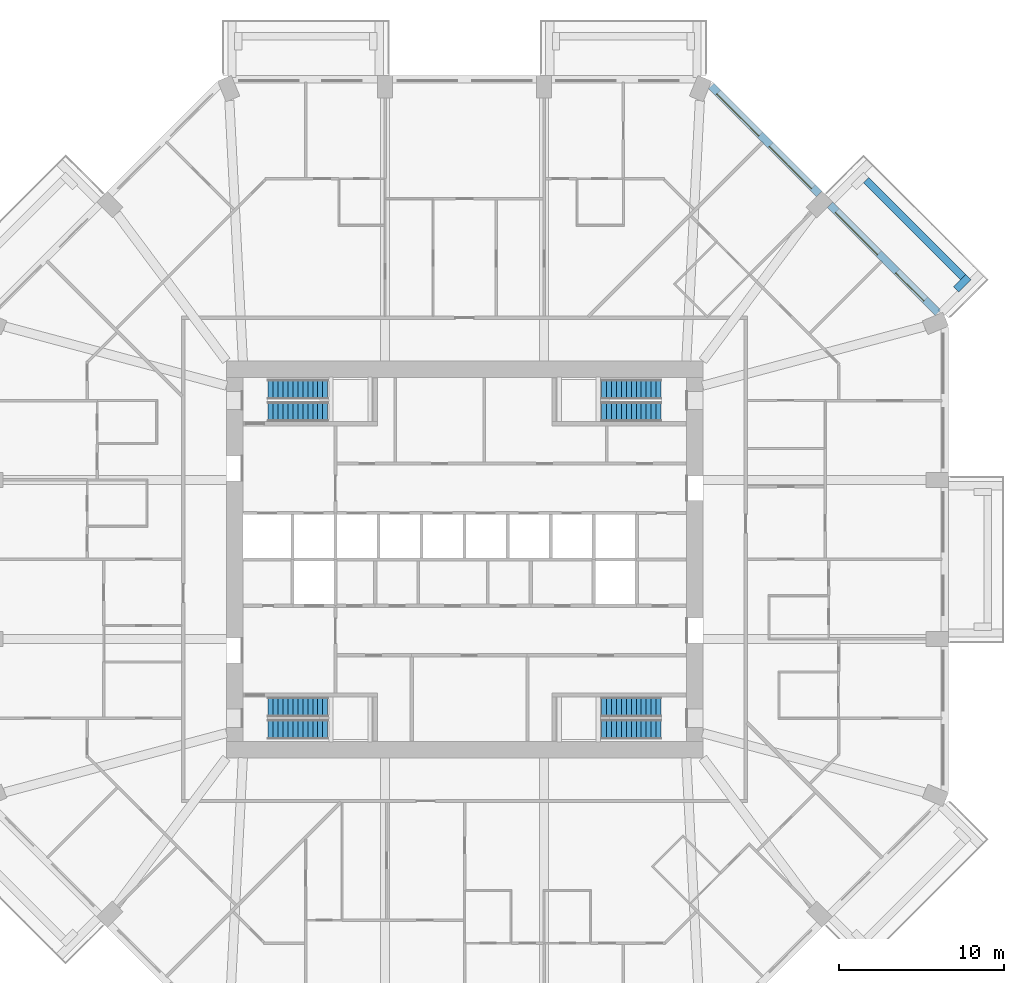
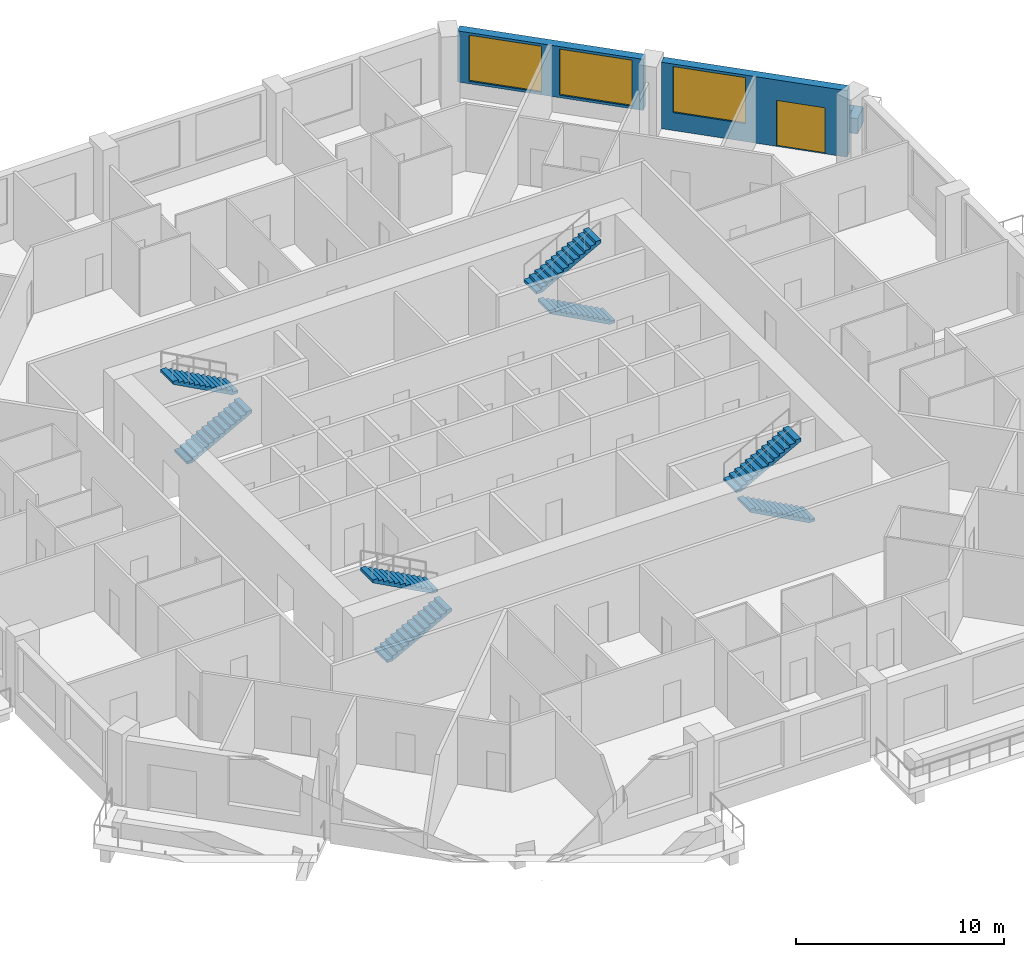
# One storey, part 11 of 13: 8 stair flights, 4 walls, 3 windows, 1 door, 4 openings, 4 elements without a shape of their own.
"""IFC4 building model written with IfcOpenShell, lengths in metres."""

from ifc_helpers import new_model, si_unit, direction, frame, frame_2d, origin, place, context, subcontext, project, spatial, polyline, rectangle, outline, extrude, material, layer, layer_set, type_object, element, fill, aggregate, save


model = new_model("IFC4")

# Units and contexts
model_context = context("Model", 3, precision=1e-05, world=origin(), true_north=direction((0.0, 1.0)))
body_context = subcontext(model_context, "Body", "Model", "MODEL_VIEW")
ifc_project = project(units=[si_unit("LENGTHUNIT", "METRE"), si_unit("AREAUNIT", "SQUARE_METRE"), si_unit("VOLUMEUNIT", "CUBIC_METRE"), si_unit("PLANEANGLEUNIT", "RADIAN"), si_unit("MASSUNIT", "GRAM", prefix="KILO")], contexts=[model_context])

# Site, building, storey
site_placement = place(None, origin())
site = spatial("IfcSite", under=ifc_project, at=site_placement, CompositionType="ELEMENT")
building_placement = place(site_placement, origin())
building = spatial("IfcBuilding", under=site, at=building_placement, Name="Msitu Wima Residences", CompositionType="ELEMENT")
storey_placement = place(building_placement, frame((0.0, 0.0, 71.699951171875)))
storey = spatial("IfcBuildingStorey", under=building, at=storey_placement, Name="L16", CompositionType="ELEMENT", Elevation=71.699951171875)

# Walls
ifc_material_1 = material(Name="Facing brick")
ifc_layer_1 = layer(ifc_material_1, 0.06494140625, Name="Facing brick")
ifc_material_2 = material(Name="Concrete C40/50", Category="concrete")
ifc_layer_2 = layer(ifc_material_2, 0.156005859375, Name="Concrete C40/50")
ifc_material_3 = material(Name="Waterproofing membrane")
ifc_layer_3 = layer(ifc_material_3, 0.00390625, Name="Waterproofing membrane")
ifc_material_4 = material(Name="Planting soil and planting")
ifc_layer_4 = layer(ifc_material_4, 0.22509765625, Name="Planting soil and planting")
ifc_layer_set_1 = layer_set([ifc_layer_1, ifc_layer_2, ifc_layer_3, ifc_layer_4], Name="Concrete C40/50")
wall_type_1 = type_object("IfcWallType", Name="Balcony planter PLANTER PL450", PredefinedType="USERDEFINED", material=ifc_layer_set_1)
wall_1_placement = place(storey_placement, frame((30.125732421875, 17.0693359375, 0.0), z_axis=(0.0, 0.0, 1.0), x_axis=(-0.707106781187, 0.707106781187, 0.0)))
element("IfcWall", 1, at=wall_1_placement, inside=storey, type_object=wall_type_1, Name="Balcony planter NE0 L16", ObjectType="PLANTER", PredefinedType="USERDEFINED", context=body_context, shape_type="SweptSolid", body=[
    extrude(rectangle(XDim=8.2822265625, YDim=0.449951171875, at=frame_2d((4.14111328125, 0.0))), origin(), (0.0, 0.0, 1.0), 0.900146484375),
])
wall_2_placement = place(storey_placement, frame((29.70166015625, 16.326904296875, 0.0), z_axis=(0.0, 0.0, 1.0), x_axis=(0.707106781187, 0.707106781187, 0.0)))
element("IfcWall", 2, at=wall_2_placement, inside=storey, type_object=wall_type_1, Name="Balcony planter NE0 L16", ObjectType="PLANTER", PredefinedType="USERDEFINED", context=body_context, shape_type="SweptSolid", body=[
    extrude(rectangle(XDim=1.050048828125, YDim=0.449951171875, at=frame_2d((0.52490234375, 0.0))), origin(), (0.0, 0.0, 1.0), 0.900146484375),
])

# Wall, openings, door, window
ifc_material_5 = material(Name="Brick (red buff mix)", Category="masonry")
ifc_layer_5 = layer(ifc_material_5, 0.449951171875)
ifc_layer_set_2 = layer_set([ifc_layer_5], Name="Brick (red buff mix)")
wall_type_2 = type_object("IfcWallType", Name="Brick infill wall BW450", PredefinedType="SOLIDWALL", material=ifc_layer_set_2)
wall_3_placement = place(storey_placement, frame((28.61474609375, 14.903564453125, 0.0), z_axis=(0.0, 0.0, 1.0), x_axis=(-0.707106781187, 0.707106781187, 0.0)))
wall_3 = element("IfcWall", 3, at=wall_3_placement, inside=storey, type_object=wall_type_2, Name="Brick infill wall L16 NE0", PredefinedType="SOLIDWALL", context=body_context, shape_type="SweptSolid", body=[
    extrude(rectangle(XDim=9.2451171875, YDim=0.449951171875, at=frame_2d((4.62255859375, 0.0))), origin(), (0.0, 0.0, 1.0), 3.900146484375),
])
opening_1_placement = place(wall_3_placement, frame((1.111328125, 0.0, 0.0)))
opening_1 = element("IfcOpeningElement", 4, at=opening_1_placement, cuts=wall_3, Name="Opening D16-17.004", PredefinedType="OPENING", context=body_context, shape_type="SweptSolid", body=[
    extrude(rectangle(XDim=2.39990234375, YDim=2.699951171875, at=frame_2d((1.199951171875, 1.35009765625))), frame((0.0, 0.23486328125, 0.0), z_axis=(0.0, -1.0, 0.0), x_axis=(1.0, 0.0, 0.0)), (0.0, 0.0, 1.0), 0.469970703125),
])
opening_2_placement = place(wall_3_placement, frame((5.072509765625, 0.0, 1.050048828125)))
opening_2 = element("IfcOpeningElement", 5, at=opening_2_placement, cuts=wall_3, Name="Opening W16-17.010", PredefinedType="OPENING", context=body_context, shape_type="SweptSolid", body=[
    extrude(rectangle(XDim=3.60009765625, YDim=2.699951171875, at=frame_2d((1.800048828125, 1.35009765625))), frame((0.0, 0.23486328125, 0.0), z_axis=(0.0, -1.0, 0.0), x_axis=(1.0, 0.0, 0.0)), (0.0, 0.0, 1.0), 0.469970703125),
])
ifc_material_6 = material(Name="Anodised aluminium, bronze finish, clear low-emissivity double glazing", Category="aluminium")
door_type = type_object("IfcDoorType", Name="Balcony door D2400x2700", OperationType="SLIDING_TO_LEFT", PredefinedType="DOOR", material=ifc_material_6)
door_placement = place(opening_1_placement, origin())
door = element("IfcDoor", 6, at=door_placement, inside=storey, type_object=door_type, Name="Balcony door L16 NE0", OperationType="SINGLE_SWING_LEFT", OverallHeight=2.699951171875, OverallWidth=2.39990234375, PredefinedType="DOOR", context=body_context, shape_type="SweptSolid", body=[
    extrude(rectangle(XDim=2.39990234375, YDim=2.699951171875, at=frame_2d((1.199951171875, 1.35009765625))), frame((0.0, 0.1298828125, 0.0), z_axis=(0.0, -1.0, 0.0), x_axis=(1.0, 0.0, 0.0)), (0.0, 0.0, 1.0), 0.050048828125),
])
fill(opening_1, door)
window_type = type_object("IfcWindowType", Name="Window W3600x2700", PartitioningType="DOUBLE_PANEL_VERTICAL", PredefinedType="WINDOW", material=ifc_material_6)
window_1_placement = place(opening_2_placement, origin())
window_1 = element("IfcWindow", 7, at=window_1_placement, inside=storey, type_object=window_type, Name="Window L16 NE0.2", OverallHeight=2.699951171875, OverallWidth=3.60009765625, PartitioningType="SINGLE_PANEL", PredefinedType="WINDOW", context=body_context, shape_type="SweptSolid", body=[
    extrude(rectangle(XDim=3.60009765625, YDim=2.699951171875, at=frame_2d((1.800048828125, 1.35009765625))), frame((0.0, 0.135009765625, 0.0), z_axis=(0.0, -1.0, 0.0), x_axis=(1.0, 0.0, 0.0)), (0.0, 0.0, 1.0), 0.06005859375),
])
fill(opening_2, window_1)

# Wall, openings, windows
wall_4_placement = place(storey_placement, frame((21.44091796875, 22.077392578125, 0.900146484375), z_axis=(0.0, 0.0, 1.0), x_axis=(-0.707106781187, 0.707106781187, 0.0)))
wall_4 = element("IfcWall", 8, at=wall_4_placement, inside=storey, type_object=wall_type_2, Name="Brick infill wall L16 NE1", PredefinedType="SOLIDWALL", context=body_context, shape_type="SweptSolid", body=[
    extrude(rectangle(XDim=9.2451171875, YDim=0.449951171875, at=frame_2d((4.62255859375, 0.0))), origin(), (0.0, 0.0, 1.0), 3.0),
])
opening_3_placement = place(wall_4_placement, frame((0.572509765625, 0.0, 0.14990234375)))
opening_3 = element("IfcOpeningElement", 9, at=opening_3_placement, cuts=wall_4, Name="Opening W16-17.011", PredefinedType="OPENING", context=body_context, shape_type="SweptSolid", body=[
    extrude(rectangle(XDim=3.60009765625, YDim=2.699951171875, at=frame_2d((1.800048828125, 1.35009765625))), frame((0.0, 0.23486328125, 0.0), z_axis=(0.0, -1.0, 0.0), x_axis=(1.0, 0.0, 0.0)), (0.0, 0.0, 1.0), 0.469970703125),
])
opening_4_placement = place(wall_4_placement, frame((5.072509765625, 0.0, 0.14990234375)))
opening_4 = element("IfcOpeningElement", 10, at=opening_4_placement, cuts=wall_4, Name="Opening W16-17.012", PredefinedType="OPENING", context=body_context, shape_type="SweptSolid", body=[
    extrude(rectangle(XDim=3.60009765625, YDim=2.699951171875, at=frame_2d((1.800048828125, 1.35009765625))), frame((0.0, 0.23486328125, 0.0), z_axis=(0.0, -1.0, 0.0), x_axis=(1.0, 0.0, 0.0)), (0.0, 0.0, 1.0), 0.469970703125),
])
window_2_placement = place(opening_3_placement, origin())
window_2 = element("IfcWindow", 11, at=window_2_placement, inside=storey, type_object=window_type, Name="Window L16 NE1.1", OverallHeight=2.699951171875, OverallWidth=3.60009765625, PartitioningType="SINGLE_PANEL", PredefinedType="WINDOW", context=body_context, shape_type="SweptSolid", body=[
    extrude(rectangle(XDim=3.60009765625, YDim=2.699951171875, at=frame_2d((1.800048828125, 1.35009765625))), frame((0.0, 0.135009765625, 0.0), z_axis=(0.0, -1.0, 0.0), x_axis=(1.0, 0.0, 0.0)), (0.0, 0.0, 1.0), 0.06005859375),
])
fill(opening_3, window_2)
window_3_placement = place(opening_4_placement, origin())
window_3 = element("IfcWindow", 12, at=window_3_placement, inside=storey, type_object=window_type, Name="Window L16 NE1.2", OverallHeight=2.699951171875, OverallWidth=3.60009765625, PartitioningType="SINGLE_PANEL", PredefinedType="WINDOW", context=body_context, shape_type="SweptSolid", body=[
    extrude(rectangle(XDim=3.60009765625, YDim=2.699951171875, at=frame_2d((1.800048828125, 1.35009765625))), frame((0.0, 0.135009765625, 0.0), z_axis=(0.0, -1.0, 0.0), x_axis=(1.0, 0.0, 0.0)), (0.0, 0.0, 1.0), 0.06005859375),
])
fill(opening_4, window_3)

# Stair, stair flights
stair_type = type_object("IfcStairType", Name="Exit stair ES1615-120", PredefinedType="HALF_TURN_STAIR", material=ifc_material_2)
stair_1_placement = place(storey_placement, origin())
stair_1 = element("IfcStair", 13, at=stair_1_placement, inside=storey, type_object=stair_type, Name="Exit stair 1", PredefinedType="HALF_TURN_STAIR")
stair_flight_type = type_object("IfcStairFlightType", Name="Exit stair flight ES1615-120", PredefinedType="STRAIGHT", material=ifc_material_2)
stair_flight_1_placement = place(storey_placement, frame((-11.875, 8.925048828125, 0.0), z_axis=(0.0, 0.0, 1.0), x_axis=(1.0, 0.0, 0.0)))
stair_flight_1 = element("IfcStairFlight", 14, at=stair_flight_1_placement, type_object=stair_flight_type, Name="S1 flight 1", NumberOfRisers=13, NumberOfTreads=12, PredefinedType="STRAIGHT", RiserHeight=0.161538462, TreadLength=0.3, context=body_context, shape_type="SweptSolid", body=[
    extrude(outline(polyline([(0.0, 0.0), (0.0, 0.16162109375), (0.300048828125, 0.16162109375), (0.300048828125, 0.322998046875), (0.60009765625, 0.322998046875), (0.60009765625, 0.484619140625), (0.89990234375, 0.484619140625), (0.89990234375, 0.646240234375), (1.199951171875, 0.646240234375), (1.199951171875, 0.8076171875), (1.5, 0.8076171875), (1.5, 0.96923828125), (1.800048828125, 0.96923828125), (1.800048828125, 1.130859375), (2.10009765625, 1.130859375), (2.10009765625, 1.292236328125), (2.39990234375, 1.292236328125), (2.39990234375, 1.453857421875), (2.699951171875, 1.453857421875), (2.699951171875, 1.615478515625), (3.0, 1.615478515625), (3.0, 1.77685546875), (3.300048828125, 1.77685546875), (3.300048828125, 1.9384765625), (3.60009765625, 1.9384765625), (3.60009765625, 2.10009765625), (3.60009765625, 1.768310546875), (0.316162109375, 0.0), (0.0, 0.0)])), frame((0.0, 0.60009765625, 0.0), z_axis=(0.0, -1.0, 0.0), x_axis=(1.0, 0.0, 0.0)), (0.0, 0.0, 1.0), 1.199951171875),
])
stair_flight_2_placement = place(storey_placement, frame((-8.27490234375, 10.27490234375, 2.10009765625), z_axis=(0.0, 0.0, 1.0), x_axis=(-1.0, 0.0, 0.0)))
stair_flight_2 = element("IfcStairFlight", 15, at=stair_flight_2_placement, type_object=stair_flight_type, Name="S1 flight 2", NumberOfRisers=13, NumberOfTreads=12, PredefinedType="STRAIGHT", RiserHeight=0.161538462, TreadLength=0.3, context=body_context, shape_type="SweptSolid", body=[
    extrude(outline(polyline([(0.0, 0.0), (0.0, 0.16162109375), (0.300048828125, 0.16162109375), (0.300048828125, 0.322998046875), (0.60009765625, 0.322998046875), (0.60009765625, 0.484619140625), (0.89990234375, 0.484619140625), (0.89990234375, 0.646240234375), (1.199951171875, 0.646240234375), (1.199951171875, 0.8076171875), (1.5, 0.8076171875), (1.5, 0.96923828125), (1.800048828125, 0.96923828125), (1.800048828125, 1.130859375), (2.10009765625, 1.130859375), (2.10009765625, 1.292236328125), (2.39990234375, 1.292236328125), (2.39990234375, 1.453857421875), (2.699951171875, 1.453857421875), (2.699951171875, 1.615478515625), (3.0, 1.615478515625), (3.0, 1.77685546875), (3.300048828125, 1.77685546875), (3.300048828125, 1.9384765625), (3.60009765625, 1.9384765625), (3.60009765625, 2.10009765625), (3.60009765625, 1.768310546875), (0.316162109375, 0.0), (0.0, 0.0)])), frame((0.0, 0.60009765625, 0.0), z_axis=(0.0, -1.0, 0.0), x_axis=(1.0, 0.0, 0.0)), (0.0, 0.0, 1.0), 1.199951171875),
])
aggregate(stair_1, [stair_flight_1, stair_flight_2])

stair_2_placement = place(storey_placement, origin())
stair_2 = element("IfcStair", 16, at=stair_2_placement, inside=storey, type_object=stair_type, Name="Exit stair 2", PredefinedType="HALF_TURN_STAIR")
stair_flight_3_placement = place(storey_placement, frame((-11.875, -10.27490234375, 0.0), z_axis=(0.0, 0.0, 1.0), x_axis=(1.0, 0.0, 0.0)))
stair_flight_3 = element("IfcStairFlight", 17, at=stair_flight_3_placement, type_object=stair_flight_type, Name="S2 flight 1", NumberOfRisers=13, NumberOfTreads=12, PredefinedType="STRAIGHT", RiserHeight=0.161538462, TreadLength=0.3, context=body_context, shape_type="SweptSolid", body=[
    extrude(outline(polyline([(0.0, 0.0), (0.0, 0.16162109375), (0.300048828125, 0.16162109375), (0.300048828125, 0.322998046875), (0.60009765625, 0.322998046875), (0.60009765625, 0.484619140625), (0.89990234375, 0.484619140625), (0.89990234375, 0.646240234375), (1.199951171875, 0.646240234375), (1.199951171875, 0.8076171875), (1.5, 0.8076171875), (1.5, 0.96923828125), (1.800048828125, 0.96923828125), (1.800048828125, 1.130859375), (2.10009765625, 1.130859375), (2.10009765625, 1.292236328125), (2.39990234375, 1.292236328125), (2.39990234375, 1.453857421875), (2.699951171875, 1.453857421875), (2.699951171875, 1.615478515625), (3.0, 1.615478515625), (3.0, 1.77685546875), (3.300048828125, 1.77685546875), (3.300048828125, 1.9384765625), (3.60009765625, 1.9384765625), (3.60009765625, 2.10009765625), (3.60009765625, 1.768310546875), (0.316162109375, 0.0), (0.0, 0.0)])), frame((0.0, 0.60009765625, 0.0), z_axis=(0.0, -1.0, 0.0), x_axis=(1.0, 0.0, 0.0)), (0.0, 0.0, 1.0), 1.199951171875),
])
stair_flight_4_placement = place(storey_placement, frame((-8.27490234375, -8.925048828125, 2.10009765625), z_axis=(0.0, 0.0, 1.0), x_axis=(-1.0, 0.0, 0.0)))
stair_flight_4 = element("IfcStairFlight", 18, at=stair_flight_4_placement, type_object=stair_flight_type, Name="S2 flight 2", NumberOfRisers=13, NumberOfTreads=12, PredefinedType="STRAIGHT", RiserHeight=0.161538462, TreadLength=0.3, context=body_context, shape_type="SweptSolid", body=[
    extrude(outline(polyline([(0.0, 0.0), (0.0, 0.16162109375), (0.300048828125, 0.16162109375), (0.300048828125, 0.322998046875), (0.60009765625, 0.322998046875), (0.60009765625, 0.484619140625), (0.89990234375, 0.484619140625), (0.89990234375, 0.646240234375), (1.199951171875, 0.646240234375), (1.199951171875, 0.8076171875), (1.5, 0.8076171875), (1.5, 0.96923828125), (1.800048828125, 0.96923828125), (1.800048828125, 1.130859375), (2.10009765625, 1.130859375), (2.10009765625, 1.292236328125), (2.39990234375, 1.292236328125), (2.39990234375, 1.453857421875), (2.699951171875, 1.453857421875), (2.699951171875, 1.615478515625), (3.0, 1.615478515625), (3.0, 1.77685546875), (3.300048828125, 1.77685546875), (3.300048828125, 1.9384765625), (3.60009765625, 1.9384765625), (3.60009765625, 2.10009765625), (3.60009765625, 1.768310546875), (0.316162109375, 0.0), (0.0, 0.0)])), frame((0.0, 0.60009765625, 0.0), z_axis=(0.0, -1.0, 0.0), x_axis=(1.0, 0.0, 0.0)), (0.0, 0.0, 1.0), 1.199951171875),
])
aggregate(stair_2, [stair_flight_3, stair_flight_4])

stair_3_placement = place(storey_placement, origin())
stair_3 = element("IfcStair", 19, at=stair_3_placement, inside=storey, type_object=stair_type, Name="Exit stair 3", PredefinedType="HALF_TURN_STAIR")
stair_flight_5_placement = place(storey_placement, frame((11.875, 8.925048828125, 0.0), z_axis=(0.0, 0.0, 1.0), x_axis=(-1.0, 0.0, 0.0)))
stair_flight_5 = element("IfcStairFlight", 20, at=stair_flight_5_placement, type_object=stair_flight_type, Name="S3 flight 1", NumberOfRisers=13, NumberOfTreads=12, PredefinedType="STRAIGHT", RiserHeight=0.161538462, TreadLength=0.3, context=body_context, shape_type="SweptSolid", body=[
    extrude(outline(polyline([(0.0, 0.0), (0.0, 0.16162109375), (0.300048828125, 0.16162109375), (0.300048828125, 0.322998046875), (0.60009765625, 0.322998046875), (0.60009765625, 0.484619140625), (0.89990234375, 0.484619140625), (0.89990234375, 0.646240234375), (1.199951171875, 0.646240234375), (1.199951171875, 0.8076171875), (1.5, 0.8076171875), (1.5, 0.96923828125), (1.800048828125, 0.96923828125), (1.800048828125, 1.130859375), (2.10009765625, 1.130859375), (2.10009765625, 1.292236328125), (2.39990234375, 1.292236328125), (2.39990234375, 1.453857421875), (2.699951171875, 1.453857421875), (2.699951171875, 1.615478515625), (3.0, 1.615478515625), (3.0, 1.77685546875), (3.300048828125, 1.77685546875), (3.300048828125, 1.9384765625), (3.60009765625, 1.9384765625), (3.60009765625, 2.10009765625), (3.60009765625, 1.768310546875), (0.316162109375, 0.0), (0.0, 0.0)])), frame((0.0, 0.60009765625, 0.0), z_axis=(0.0, -1.0, 0.0), x_axis=(1.0, 0.0, 0.0)), (0.0, 0.0, 1.0), 1.199951171875),
])
stair_flight_6_placement = place(storey_placement, frame((8.27490234375, 10.27490234375, 2.10009765625), z_axis=(0.0, 0.0, 1.0), x_axis=(1.0, 0.0, 0.0)))
stair_flight_6 = element("IfcStairFlight", 21, at=stair_flight_6_placement, type_object=stair_flight_type, Name="S3 flight 2", NumberOfRisers=13, NumberOfTreads=12, PredefinedType="STRAIGHT", RiserHeight=0.161538462, TreadLength=0.3, context=body_context, shape_type="SweptSolid", body=[
    extrude(outline(polyline([(0.0, 0.0), (0.0, 0.16162109375), (0.300048828125, 0.16162109375), (0.300048828125, 0.322998046875), (0.60009765625, 0.322998046875), (0.60009765625, 0.484619140625), (0.89990234375, 0.484619140625), (0.89990234375, 0.646240234375), (1.199951171875, 0.646240234375), (1.199951171875, 0.8076171875), (1.5, 0.8076171875), (1.5, 0.96923828125), (1.800048828125, 0.96923828125), (1.800048828125, 1.130859375), (2.10009765625, 1.130859375), (2.10009765625, 1.292236328125), (2.39990234375, 1.292236328125), (2.39990234375, 1.453857421875), (2.699951171875, 1.453857421875), (2.699951171875, 1.615478515625), (3.0, 1.615478515625), (3.0, 1.77685546875), (3.300048828125, 1.77685546875), (3.300048828125, 1.9384765625), (3.60009765625, 1.9384765625), (3.60009765625, 2.10009765625), (3.60009765625, 1.768310546875), (0.316162109375, 0.0), (0.0, 0.0)])), frame((0.0, 0.60009765625, 0.0), z_axis=(0.0, -1.0, 0.0), x_axis=(1.0, 0.0, 0.0)), (0.0, 0.0, 1.0), 1.199951171875),
])
aggregate(stair_3, [stair_flight_5, stair_flight_6])

stair_4_placement = place(storey_placement, origin())
stair_4 = element("IfcStair", 22, at=stair_4_placement, inside=storey, type_object=stair_type, Name="Exit stair 4", PredefinedType="HALF_TURN_STAIR")
stair_flight_7_placement = place(storey_placement, frame((11.875, -10.27490234375, 0.0), z_axis=(0.0, 0.0, 1.0), x_axis=(-1.0, 0.0, 0.0)))
stair_flight_7 = element("IfcStairFlight", 23, at=stair_flight_7_placement, type_object=stair_flight_type, Name="S4 flight 1", NumberOfRisers=13, NumberOfTreads=12, PredefinedType="STRAIGHT", RiserHeight=0.161538462, TreadLength=0.3, context=body_context, shape_type="SweptSolid", body=[
    extrude(outline(polyline([(0.0, 0.0), (0.0, 0.16162109375), (0.300048828125, 0.16162109375), (0.300048828125, 0.322998046875), (0.60009765625, 0.322998046875), (0.60009765625, 0.484619140625), (0.89990234375, 0.484619140625), (0.89990234375, 0.646240234375), (1.199951171875, 0.646240234375), (1.199951171875, 0.8076171875), (1.5, 0.8076171875), (1.5, 0.96923828125), (1.800048828125, 0.96923828125), (1.800048828125, 1.130859375), (2.10009765625, 1.130859375), (2.10009765625, 1.292236328125), (2.39990234375, 1.292236328125), (2.39990234375, 1.453857421875), (2.699951171875, 1.453857421875), (2.699951171875, 1.615478515625), (3.0, 1.615478515625), (3.0, 1.77685546875), (3.300048828125, 1.77685546875), (3.300048828125, 1.9384765625), (3.60009765625, 1.9384765625), (3.60009765625, 2.10009765625), (3.60009765625, 1.768310546875), (0.316162109375, 0.0), (0.0, 0.0)])), frame((0.0, 0.60009765625, 0.0), z_axis=(0.0, -1.0, 0.0), x_axis=(1.0, 0.0, 0.0)), (0.0, 0.0, 1.0), 1.199951171875),
])
stair_flight_8_placement = place(storey_placement, frame((8.27490234375, -8.925048828125, 2.10009765625), z_axis=(0.0, 0.0, 1.0), x_axis=(1.0, 0.0, 0.0)))
stair_flight_8 = element("IfcStairFlight", 24, at=stair_flight_8_placement, type_object=stair_flight_type, Name="S4 flight 2", NumberOfRisers=13, NumberOfTreads=12, PredefinedType="STRAIGHT", RiserHeight=0.161538462, TreadLength=0.3, context=body_context, shape_type="SweptSolid", body=[
    extrude(outline(polyline([(0.0, 0.0), (0.0, 0.16162109375), (0.300048828125, 0.16162109375), (0.300048828125, 0.322998046875), (0.60009765625, 0.322998046875), (0.60009765625, 0.484619140625), (0.89990234375, 0.484619140625), (0.89990234375, 0.646240234375), (1.199951171875, 0.646240234375), (1.199951171875, 0.8076171875), (1.5, 0.8076171875), (1.5, 0.96923828125), (1.800048828125, 0.96923828125), (1.800048828125, 1.130859375), (2.10009765625, 1.130859375), (2.10009765625, 1.292236328125), (2.39990234375, 1.292236328125), (2.39990234375, 1.453857421875), (2.699951171875, 1.453857421875), (2.699951171875, 1.615478515625), (3.0, 1.615478515625), (3.0, 1.77685546875), (3.300048828125, 1.77685546875), (3.300048828125, 1.9384765625), (3.60009765625, 1.9384765625), (3.60009765625, 2.10009765625), (3.60009765625, 1.768310546875), (0.316162109375, 0.0), (0.0, 0.0)])), frame((0.0, 0.60009765625, 0.0), z_axis=(0.0, -1.0, 0.0), x_axis=(1.0, 0.0, 0.0)), (0.0, 0.0, 1.0), 1.199951171875),
])
aggregate(stair_4, [stair_flight_7, stair_flight_8])

save(model, "model.ifc")
